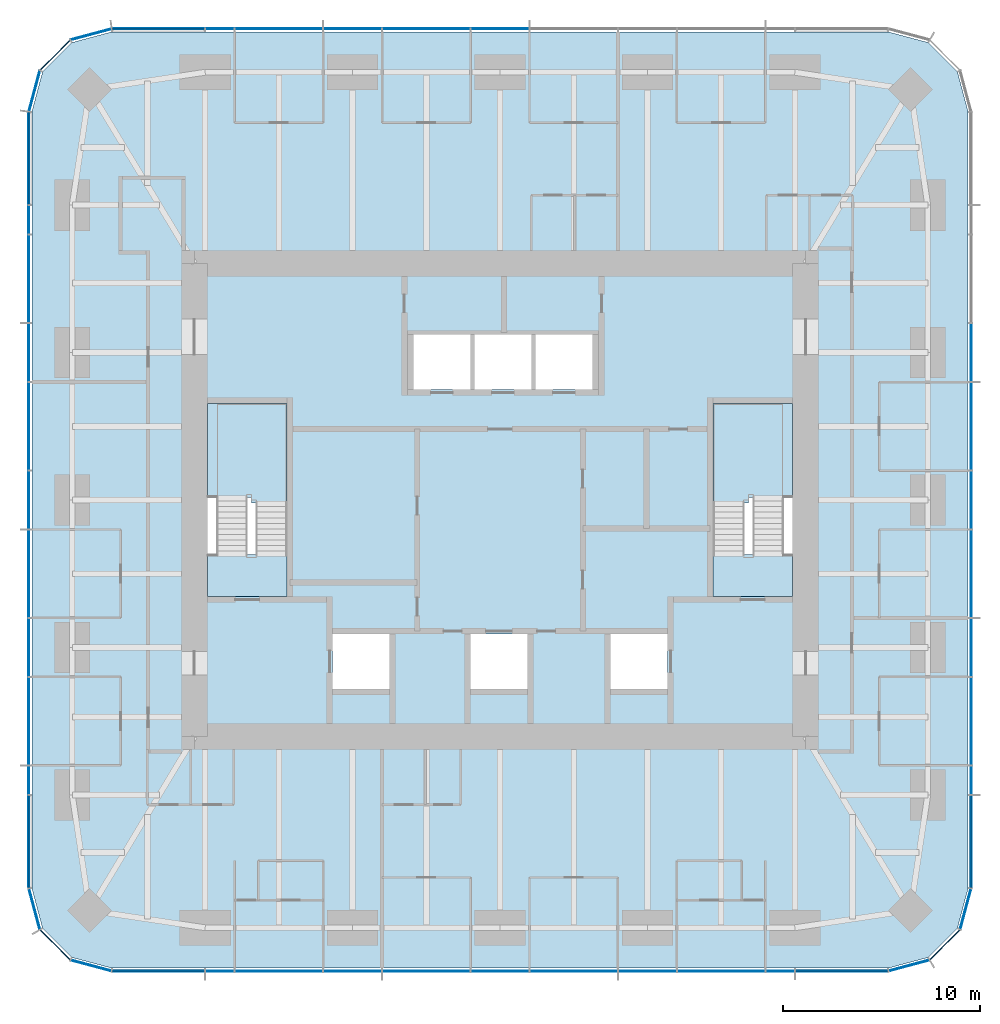
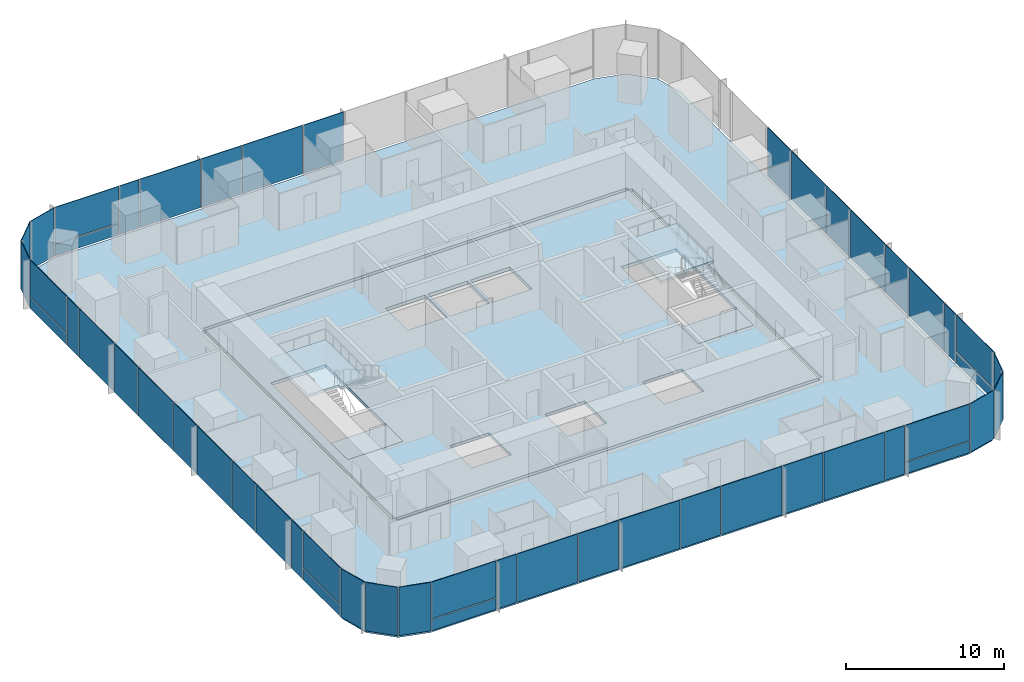
# One storey, part 7 of 12: 51 plates, 6 slabs, 9 elements without a shape of their own.
"""IFC4 building model written with IfcOpenShell, lengths in metres."""

from ifc_helpers import new_model, si_unit, direction, frame, origin, origin_2d, place, context, subcontext, project, spatial, polyline, rectangle, outline, extrude, material, layer, layer_set, type_object, element, aggregate, save


model = new_model("IFC4")

# Units and contexts
model_context = context("Model", 3, precision=1e-05, world=origin(), true_north=direction((0.0, 1.0)))
body_context = subcontext(model_context, "Body", "Model", "MODEL_VIEW")
ifc_project = project(units=[si_unit("LENGTHUNIT", "METRE"), si_unit("AREAUNIT", "SQUARE_METRE"), si_unit("VOLUMEUNIT", "CUBIC_METRE"), si_unit("PLANEANGLEUNIT", "RADIAN"), si_unit("MASSUNIT", "GRAM", prefix="KILO")], contexts=[model_context])

# Site, building, storey
site_placement = place(None, origin())
site = spatial("IfcSite", under=ifc_project, at=site_placement, CompositionType="ELEMENT")
building_placement = place(site_placement, origin())
building = spatial("IfcBuilding", under=site, at=building_placement, Name="Khuree Lantern Residences", CompositionType="ELEMENT")
storey_placement = place(building_placement, frame((0.0, 0.0, 297.0)))
storey = spatial("IfcBuildingStorey", under=building, at=storey_placement, Name="L74", CompositionType="ELEMENT", Elevation=297.0)

# Slab
ifc_material_1 = material(Name="Concrete C35/45", Category="concrete")
ifc_layer_1 = layer(ifc_material_1, 0.25)
ifc_layer_set_1 = layer_set([ifc_layer_1], Name="CFL250 CORE FLOOR SLAB 250")
slab_type_1 = type_object("IfcSlabType", Name="CFL250 CORE FLOOR SLAB 250", PredefinedType="FLOOR", material=ifc_layer_set_1)
slab_1_placement = place(storey_placement, frame((0.0, 0.0, -0.25)))
element("IfcSlab", 1, at=slab_1_placement, inside=storey, type_object=slab_type_1, Name="Core floor L74", PredefinedType="FLOOR", context=body_context, shape_type="SweptSolid", body=[
    extrude(outline(polyline([(-15.5, -12.0), (-15.5, 12.0), (15.5, 12.0), (15.5, -12.0), (-15.5, -12.0)]), holes=[polyline([(10.800048828125, 4.89990234375), (10.800048828125, -4.89990234375), (14.85009765625, -4.89990234375), (14.85009765625, 4.89990234375), (10.800048828125, 4.89990234375)]), polyline([(5.60009765625, -6.800048828125), (5.60009765625, -9.60009765625), (8.5, -9.60009765625), (8.5, -6.800048828125), (5.60009765625, -6.800048828125)]), polyline([(1.800048828125, 8.39990234375), (1.800048828125, 5.60009765625), (4.699951171875, 5.60009765625), (4.699951171875, 8.39990234375), (1.800048828125, 8.39990234375)]), polyline([(-1.300048828125, 8.39990234375), (-1.300048828125, 5.60009765625), (1.60009765625, 5.60009765625), (1.60009765625, 8.39990234375), (-1.300048828125, 8.39990234375)]), polyline([(-1.5, -6.800048828125), (-1.5, -9.60009765625), (1.39990234375, -9.60009765625), (1.39990234375, -6.800048828125), (-1.5, -6.800048828125)]), polyline([(-4.39990234375, 8.39990234375), (-4.39990234375, 5.60009765625), (-1.5, 5.60009765625), (-1.5, 8.39990234375), (-4.39990234375, 8.39990234375)]), polyline([(-8.5, -6.800048828125), (-8.5, -9.60009765625), (-5.60009765625, -9.60009765625), (-5.60009765625, -6.800048828125), (-8.5, -6.800048828125)]), polyline([(-14.85009765625, 4.89990234375), (-14.85009765625, -4.89990234375), (-10.800048828125, -4.89990234375), (-10.800048828125, 4.89990234375), (-14.85009765625, 4.89990234375)])]), origin(), (0.0, 0.0, 1.0), 0.25),
])

# Curtain wall, plates
ifc_material_2 = material(Name="Bronze anodised aluminium", Category="aluminium")
curtain_wall_type_1 = type_object("IfcCurtainWallType", Name="CW-T2 TOWER CORNER CURTAIN WALL", PredefinedType="USERDEFINED", material=ifc_material_2)
curtain_wall_1_placement = place(storey_placement, origin())
curtain_wall_1 = element("IfcCurtainWall", 2, at=curtain_wall_1_placement, inside=storey, type_object=curtain_wall_type_1, Name="L74 SOUTH-EAST CORNER CURTAIN WALL", ObjectType="Faceted corner curtain wall", PredefinedType="USERDEFINED")
ifc_material_3 = material(Name="Bronze tinted triple glazing", Category="glass")
ifc_layer_2 = layer(ifc_material_3, 0.048095703125)
ifc_layer_set_2 = layer_set([ifc_layer_2], Name="FACET PANEL P4")
plate_type_1 = type_object("IfcPlateType", Name="FACET PANEL P4", PredefinedType="CURTAIN_PANEL", material=ifc_layer_set_2)
plate_1_placement = place(storey_placement, frame((20.748046875, -23.619140625, 0.0), z_axis=(0.0, 0.0, 1.0), x_axis=(0.965925861257, 0.2588189146, 0.0)))
plate_1 = element("IfcPlate", 3, at=plate_1_placement, type_object=plate_type_1, Name="L74 SOUTH-EAST CORNER PANEL 1.1", PredefinedType="CURTAIN_PANEL", context=body_context, shape_type="SweptSolid", body=[
    extrude(rectangle(XDim=2.09814453125, YDim=0.048095703125, at=origin_2d()), origin(), (0.0, 0.0, 1.0), 3.75),
])
plate_2_placement = place(storey_placement, frame((22.568603515625, -22.568603515625, 0.0), z_axis=(0.0, 0.0, 1.0), x_axis=(0.707106781187, 0.707106781187, 0.0)))
plate_2 = element("IfcPlate", 4, at=plate_2_placement, type_object=plate_type_1, Name="L74 SOUTH-EAST CORNER PANEL 2.1", PredefinedType="CURTAIN_PANEL", context=body_context, shape_type="SweptSolid", body=[
    extrude(rectangle(XDim=2.093994140625, YDim=0.048095703125, at=origin_2d()), origin(), (0.0, 0.0, 1.0), 3.75),
])
plate_3_placement = place(storey_placement, frame((23.619140625, -20.748046875, 0.0), z_axis=(0.0, 0.0, 1.0), x_axis=(0.2588189146, 0.965925861257, 0.0)))
plate_3 = element("IfcPlate", 5, at=plate_3_placement, type_object=plate_type_1, Name="L74 SOUTH-EAST CORNER PANEL 3.1", PredefinedType="CURTAIN_PANEL", context=body_context, shape_type="SweptSolid", body=[
    extrude(rectangle(XDim=2.09814453125, YDim=0.048095703125, at=origin_2d()), origin(), (0.0, 0.0, 1.0), 3.75),
])
aggregate(curtain_wall_1, [plate_1, plate_2, plate_3])

curtain_wall_2_placement = place(storey_placement, origin())
curtain_wall_2 = element("IfcCurtainWall", 6, at=curtain_wall_2_placement, inside=storey, type_object=curtain_wall_type_1, Name="L74 NORTH-WEST CORNER CURTAIN WALL", ObjectType="Faceted corner curtain wall", PredefinedType="USERDEFINED")
plate_4_placement = place(storey_placement, frame((-20.748046875, 23.619140625, 0.0), z_axis=(0.0, 0.0, 1.0), x_axis=(-0.965925861257, -0.2588189146, 0.0)))
plate_4 = element("IfcPlate", 7, at=plate_4_placement, type_object=plate_type_1, Name="L74 NORTH-WEST CORNER PANEL 29.1", PredefinedType="CURTAIN_PANEL", context=body_context, shape_type="SweptSolid", body=[
    extrude(rectangle(XDim=2.09814453125, YDim=0.048095703125, at=origin_2d()), origin(), (0.0, 0.0, 1.0), 3.75),
])
plate_5_placement = place(storey_placement, frame((-22.568603515625, 22.568603515625, 0.0), z_axis=(0.0, 0.0, 1.0), x_axis=(-0.707106781187, -0.707106781187, 0.0)))
plate_5 = element("IfcPlate", 8, at=plate_5_placement, type_object=plate_type_1, Name="L74 NORTH-WEST CORNER PANEL 30.1", PredefinedType="CURTAIN_PANEL", context=body_context, shape_type="SweptSolid", body=[
    extrude(rectangle(XDim=2.093994140625, YDim=0.048095703125, at=origin_2d()), origin(), (0.0, 0.0, 1.0), 3.75),
])
plate_6_placement = place(storey_placement, frame((-23.619140625, 20.748046875, 0.0), z_axis=(0.0, 0.0, 1.0), x_axis=(-0.2588189146, -0.965925861257, 0.0)))
plate_6 = element("IfcPlate", 9, at=plate_6_placement, type_object=plate_type_1, Name="L74 NORTH-WEST CORNER PANEL 31.1", PredefinedType="CURTAIN_PANEL", context=body_context, shape_type="SweptSolid", body=[
    extrude(rectangle(XDim=2.09814453125, YDim=0.048095703125, at=origin_2d()), origin(), (0.0, 0.0, 1.0), 3.75),
])
aggregate(curtain_wall_2, [plate_4, plate_5, plate_6])

curtain_wall_3_placement = place(storey_placement, origin())
curtain_wall_3 = element("IfcCurtainWall", 10, at=curtain_wall_3_placement, inside=storey, type_object=curtain_wall_type_1, Name="L74 SOUTH-WEST CORNER CURTAIN WALL", ObjectType="Faceted corner curtain wall", PredefinedType="USERDEFINED")
plate_7_placement = place(storey_placement, frame((-23.619140625, -20.748046875, 0.0), z_axis=(0.0, 0.0, 1.0), x_axis=(0.2588189146, -0.965925861257, 0.0)))
plate_7 = element("IfcPlate", 11, at=plate_7_placement, type_object=plate_type_1, Name="L74 SOUTH-WEST CORNER PANEL 43.1", PredefinedType="CURTAIN_PANEL", context=body_context, shape_type="SweptSolid", body=[
    extrude(rectangle(XDim=2.09814453125, YDim=0.048095703125, at=origin_2d()), origin(), (0.0, 0.0, 1.0), 3.75),
])
plate_8_placement = place(storey_placement, frame((-22.568603515625, -22.568603515625, 0.0), z_axis=(0.0, 0.0, 1.0), x_axis=(0.707106781187, -0.707106781187, 0.0)))
plate_8 = element("IfcPlate", 12, at=plate_8_placement, type_object=plate_type_1, Name="L74 SOUTH-WEST CORNER PANEL 44.1", PredefinedType="CURTAIN_PANEL", context=body_context, shape_type="SweptSolid", body=[
    extrude(rectangle(XDim=2.093994140625, YDim=0.048095703125, at=origin_2d()), origin(), (0.0, 0.0, 1.0), 3.75),
])
plate_9_placement = place(storey_placement, frame((-20.748046875, -23.619140625, 0.0), z_axis=(0.0, 0.0, 1.0), x_axis=(0.965925861257, -0.2588189146, 0.0)))
plate_9 = element("IfcPlate", 13, at=plate_9_placement, type_object=plate_type_1, Name="L74 SOUTH-WEST CORNER PANEL 45.1", PredefinedType="CURTAIN_PANEL", context=body_context, shape_type="SweptSolid", body=[
    extrude(rectangle(XDim=2.09814453125, YDim=0.048095703125, at=origin_2d()), origin(), (0.0, 0.0, 1.0), 3.75),
])
aggregate(curtain_wall_3, [plate_7, plate_8, plate_9])

curtain_wall_type_2 = type_object("IfcCurtainWallType", Name="CW-T1 TOWER FACE CURTAIN WALL", PredefinedType="USERDEFINED", material=ifc_material_2)
curtain_wall_4_placement = place(storey_placement, origin())
curtain_wall_4 = element("IfcCurtainWall", 14, at=curtain_wall_4_placement, inside=storey, type_object=curtain_wall_type_2, Name="L74 EAST FACE CURTAIN WALL", ObjectType="Stick-built curtain wall", PredefinedType="USERDEFINED")
ifc_material_4 = material(Name="Bronze tinted triple glazing with a ceramic-fritted spandrel band", Category="glass")
ifc_layer_3 = layer(ifc_material_4, 0.048095703125)
ifc_layer_set_3 = layer_set([ifc_layer_3], Name="FIXED LIGHT PANEL P11")
plate_type_2 = type_object("IfcPlateType", Name="FIXED LIGHT PANEL P11", PredefinedType="CURTAIN_PANEL", material=ifc_layer_set_3)
plate_10_placement = place(storey_placement, frame((23.89990234375, -11.219970703125, 0.0), z_axis=(0.0, 0.0, 1.0), x_axis=(0.0, 1.0, 0.0)))
plate_10 = element("IfcPlate", 15, at=plate_10_placement, type_object=plate_type_2, Name="L74 EAST FACE PANEL 6.1", PredefinedType="CURTAIN_PANEL", context=body_context, shape_type="SweptSolid", body=[
    extrude(rectangle(XDim=4.423095703125, YDim=0.048095703125, at=origin_2d()), origin(), (0.0, 0.0, 1.0), 3.75),
])
plate_11_placement = place(storey_placement, frame((23.89990234375, -3.739990234375, 0.0), z_axis=(0.0, 0.0, 1.0), x_axis=(0.0, 1.0, 0.0)))
plate_11 = element("IfcPlate", 16, at=plate_11_placement, type_object=plate_type_2, Name="L74 EAST FACE PANEL 8.1", PredefinedType="CURTAIN_PANEL", context=body_context, shape_type="SweptSolid", body=[
    extrude(rectangle(XDim=4.423095703125, YDim=0.048095703125, at=origin_2d()), origin(), (0.0, 0.0, 1.0), 3.75),
])
plate_12_placement = place(storey_placement, frame((23.89990234375, 3.739990234375, 0.0), z_axis=(0.0, 0.0, 1.0), x_axis=(0.0, 1.0, 0.0)))
plate_12 = element("IfcPlate", 17, at=plate_12_placement, type_object=plate_type_2, Name="L74 EAST FACE PANEL 10.1", PredefinedType="CURTAIN_PANEL", context=body_context, shape_type="SweptSolid", body=[
    extrude(rectangle(XDim=4.423095703125, YDim=0.048095703125, at=origin_2d()), origin(), (0.0, 0.0, 1.0), 3.75),
])

curtain_wall_5_placement = place(storey_placement, origin())
curtain_wall_5 = element("IfcCurtainWall", 18, at=curtain_wall_5_placement, inside=storey, type_object=curtain_wall_type_2, Name="L74 NORTH FACE CURTAIN WALL", ObjectType="Stick-built curtain wall", PredefinedType="USERDEFINED")
plate_13_placement = place(storey_placement, frame((-3.739990234375, 23.89990234375, 0.0), z_axis=(0.0, 0.0, 1.0), x_axis=(-1.0, 0.0, 0.0)))
plate_13 = element("IfcPlate", 19, at=plate_13_placement, type_object=plate_type_2, Name="L74 NORTH FACE PANEL 24.1", PredefinedType="CURTAIN_PANEL", context=body_context, shape_type="SweptSolid", body=[
    extrude(rectangle(XDim=4.423095703125, YDim=0.048095703125, at=origin_2d()), origin(), (0.0, 0.0, 1.0), 3.75),
])
plate_14_placement = place(storey_placement, frame((-11.219970703125, 23.89990234375, 0.0), z_axis=(0.0, 0.0, 1.0), x_axis=(-1.0, 0.0, 0.0)))
plate_14 = element("IfcPlate", 20, at=plate_14_placement, type_object=plate_type_2, Name="L74 NORTH FACE PANEL 26.1", PredefinedType="CURTAIN_PANEL", context=body_context, shape_type="SweptSolid", body=[
    extrude(rectangle(XDim=4.423095703125, YDim=0.048095703125, at=origin_2d()), origin(), (0.0, 0.0, 1.0), 3.75),
])

curtain_wall_6_placement = place(storey_placement, origin())
curtain_wall_6 = element("IfcCurtainWall", 21, at=curtain_wall_6_placement, inside=storey, type_object=curtain_wall_type_2, Name="L74 WEST FACE CURTAIN WALL", ObjectType="Stick-built curtain wall", PredefinedType="USERDEFINED")
plate_15_placement = place(storey_placement, frame((-23.89990234375, 11.219970703125, 0.0), z_axis=(0.0, 0.0, 1.0), x_axis=(0.0, -1.0, 0.0)))
plate_15 = element("IfcPlate", 22, at=plate_15_placement, type_object=plate_type_2, Name="L74 WEST FACE PANEL 34.1", PredefinedType="CURTAIN_PANEL", context=body_context, shape_type="SweptSolid", body=[
    extrude(rectangle(XDim=4.423095703125, YDim=0.048095703125, at=origin_2d()), origin(), (0.0, 0.0, 1.0), 3.75),
])
plate_16_placement = place(storey_placement, frame((-23.89990234375, 3.739990234375, 0.0), z_axis=(0.0, 0.0, 1.0), x_axis=(0.0, -1.0, 0.0)))
plate_16 = element("IfcPlate", 23, at=plate_16_placement, type_object=plate_type_2, Name="L74 WEST FACE PANEL 36.1", PredefinedType="CURTAIN_PANEL", context=body_context, shape_type="SweptSolid", body=[
    extrude(rectangle(XDim=4.423095703125, YDim=0.048095703125, at=origin_2d()), origin(), (0.0, 0.0, 1.0), 3.75),
])
plate_17_placement = place(storey_placement, frame((-23.89990234375, -3.739990234375, 0.0), z_axis=(0.0, 0.0, 1.0), x_axis=(0.0, -1.0, 0.0)))
plate_17 = element("IfcPlate", 24, at=plate_17_placement, type_object=plate_type_2, Name="L74 WEST FACE PANEL 38.1", PredefinedType="CURTAIN_PANEL", context=body_context, shape_type="SweptSolid", body=[
    extrude(rectangle(XDim=4.423095703125, YDim=0.048095703125, at=origin_2d()), origin(), (0.0, 0.0, 1.0), 3.75),
])
plate_18_placement = place(storey_placement, frame((-23.89990234375, -11.219970703125, 0.0), z_axis=(0.0, 0.0, 1.0), x_axis=(0.0, -1.0, 0.0)))
plate_18 = element("IfcPlate", 25, at=plate_18_placement, type_object=plate_type_2, Name="L74 WEST FACE PANEL 40.1", PredefinedType="CURTAIN_PANEL", context=body_context, shape_type="SweptSolid", body=[
    extrude(rectangle(XDim=4.423095703125, YDim=0.048095703125, at=origin_2d()), origin(), (0.0, 0.0, 1.0), 3.75),
])

curtain_wall_7_placement = place(storey_placement, origin())
curtain_wall_7 = element("IfcCurtainWall", 26, at=curtain_wall_7_placement, inside=storey, type_object=curtain_wall_type_2, Name="L74 SOUTH FACE CURTAIN WALL", ObjectType="Stick-built curtain wall", PredefinedType="USERDEFINED")
plate_19_placement = place(storey_placement, frame((-11.219970703125, -23.89990234375, 0.0), z_axis=(0.0, 0.0, 1.0), x_axis=(1.0, 0.0, 0.0)))
plate_19 = element("IfcPlate", 27, at=plate_19_placement, type_object=plate_type_2, Name="L74 SOUTH FACE PANEL 48.1", PredefinedType="CURTAIN_PANEL", context=body_context, shape_type="SweptSolid", body=[
    extrude(rectangle(XDim=4.423095703125, YDim=0.048095703125, at=origin_2d()), origin(), (0.0, 0.0, 1.0), 3.75),
])
plate_20_placement = place(storey_placement, frame((-3.739990234375, -23.89990234375, 0.0), z_axis=(0.0, 0.0, 1.0), x_axis=(1.0, 0.0, 0.0)))
plate_20 = element("IfcPlate", 28, at=plate_20_placement, type_object=plate_type_2, Name="L74 SOUTH FACE PANEL 50.1", PredefinedType="CURTAIN_PANEL", context=body_context, shape_type="SweptSolid", body=[
    extrude(rectangle(XDim=4.423095703125, YDim=0.048095703125, at=origin_2d()), origin(), (0.0, 0.0, 1.0), 3.75),
])
plate_21_placement = place(storey_placement, frame((3.739990234375, -23.89990234375, 0.0), z_axis=(0.0, 0.0, 1.0), x_axis=(1.0, 0.0, 0.0)))
plate_21 = element("IfcPlate", 29, at=plate_21_placement, type_object=plate_type_2, Name="L74 SOUTH FACE PANEL 52.1", PredefinedType="CURTAIN_PANEL", context=body_context, shape_type="SweptSolid", body=[
    extrude(rectangle(XDim=4.423095703125, YDim=0.048095703125, at=origin_2d()), origin(), (0.0, 0.0, 1.0), 3.75),
])
plate_22_placement = place(storey_placement, frame((11.219970703125, -23.89990234375, 0.0), z_axis=(0.0, 0.0, 1.0), x_axis=(1.0, 0.0, 0.0)))
plate_22 = element("IfcPlate", 30, at=plate_22_placement, type_object=plate_type_2, Name="L74 SOUTH FACE PANEL 54.1", PredefinedType="CURTAIN_PANEL", context=body_context, shape_type="SweptSolid", body=[
    extrude(rectangle(XDim=4.423095703125, YDim=0.048095703125, at=origin_2d()), origin(), (0.0, 0.0, 1.0), 3.75),
])

# Slab
ifc_layer_4 = layer(ifc_material_1, 0.25)
ifc_layer_set_4 = layer_set([ifc_layer_4], Name="FS250 FLOOR SLAB 250")
slab_type_2 = type_object("IfcSlabType", Name="FS250 FLOOR SLAB 250", PredefinedType="FLOOR", material=ifc_layer_set_4)
slab_2_placement = place(storey_placement, frame((0.0, 0.0, -0.25)))
element("IfcSlab", 31, at=slab_2_placement, inside=storey, type_object=slab_type_2, Name="Floor slab L74", PredefinedType="FLOOR", context=body_context, shape_type="SweptSolid", body=[
    extrude(outline(polyline([(-21.72509765625, -23.20751953125), (-23.20751953125, -21.72509765625), (-23.75, -19.699951171875), (-23.75, 19.699951171875), (-23.20751953125, 21.72509765625), (-21.72509765625, 23.20751953125), (-19.699951171875, 23.75), (19.699951171875, 23.75), (21.72509765625, 23.20751953125), (23.20751953125, 21.72509765625), (23.75, 19.699951171875), (23.75, -19.699951171875), (23.20751953125, -21.72509765625), (21.72509765625, -23.20751953125), (19.699951171875, -23.75), (-19.699951171875, -23.75), (-21.72509765625, -23.20751953125)]), holes=[polyline([(15.75, 12.0), (15.5, 12.0), (15.5, 12.25), (-15.5, 12.25), (-15.5, 12.0), (-15.75, 12.0), (-15.75, -12.0), (-15.5, -12.0), (-15.5, -12.25), (15.5, -12.25), (15.5, -12.0), (15.75, -12.0), (15.75, 12.0)])]), origin(), (0.0, 0.0, 1.0), 0.25),
])

# Plate
ifc_material_5 = material(Name="Bronze tinted triple glazing, two aluminium-framed sashes in one frame", Category="aluminium")
ifc_layer_5 = layer(ifc_material_5, 0.048095703125)
ifc_layer_set_5 = layer_set([ifc_layer_5], Name="SASH PAIR PANEL P12")
plate_type_3 = type_object("IfcPlateType", Name="SASH PAIR PANEL P12", PredefinedType="CURTAIN_PANEL", material=ifc_layer_set_5)
plate_23_placement = place(storey_placement, frame((23.89990234375, -7.47998046875, 0.0), z_axis=(0.0, 0.0, 1.0), x_axis=(0.0, 1.0, 0.0)))
plate_23 = element("IfcPlate", 32, at=plate_23_placement, type_object=plate_type_3, Name="L74 EAST FACE PANEL 7.1", PredefinedType="CURTAIN_PANEL", context=body_context, shape_type="SweptSolid", body=[
    extrude(rectangle(XDim=2.927001953125, YDim=0.048095703125, at=origin_2d()), origin(), (0.0, 0.0, 1.0), 3.75),
])

plate_24_placement = place(storey_placement, frame((23.89990234375, 0.0, 0.0), z_axis=(0.0, 0.0, 1.0), x_axis=(0.0, 1.0, 0.0)))
plate_24 = element("IfcPlate", 33, at=plate_24_placement, type_object=plate_type_3, Name="L74 EAST FACE PANEL 9.1", PredefinedType="CURTAIN_PANEL", context=body_context, shape_type="SweptSolid", body=[
    extrude(rectangle(XDim=2.927001953125, YDim=0.048095703125, at=origin_2d()), origin(), (0.0, 0.0, 1.0), 3.75),
])

plate_25_placement = place(storey_placement, frame((23.89990234375, 7.47998046875, 0.0), z_axis=(0.0, 0.0, 1.0), x_axis=(0.0, 1.0, 0.0)))
plate_25 = element("IfcPlate", 34, at=plate_25_placement, type_object=plate_type_3, Name="L74 EAST FACE PANEL 11.1", PredefinedType="CURTAIN_PANEL", context=body_context, shape_type="SweptSolid", body=[
    extrude(rectangle(XDim=2.927001953125, YDim=0.048095703125, at=origin_2d()), origin(), (0.0, 0.0, 1.0), 3.75),
])

plate_26_placement = place(storey_placement, frame((0.0, 23.89990234375, 0.0), z_axis=(0.0, 0.0, 1.0), x_axis=(-1.0, 0.0, 0.0)))
plate_26 = element("IfcPlate", 35, at=plate_26_placement, type_object=plate_type_3, Name="L74 NORTH FACE PANEL 23.1", PredefinedType="CURTAIN_PANEL", context=body_context, shape_type="SweptSolid", body=[
    extrude(rectangle(XDim=2.927001953125, YDim=0.048095703125, at=origin_2d()), origin(), (0.0, 0.0, 1.0), 3.75),
])

plate_27_placement = place(storey_placement, frame((-7.47998046875, 23.89990234375, 0.0), z_axis=(0.0, 0.0, 1.0), x_axis=(-1.0, 0.0, 0.0)))
plate_27 = element("IfcPlate", 36, at=plate_27_placement, type_object=plate_type_3, Name="L74 NORTH FACE PANEL 25.1", PredefinedType="CURTAIN_PANEL", context=body_context, shape_type="SweptSolid", body=[
    extrude(rectangle(XDim=2.927001953125, YDim=0.048095703125, at=origin_2d()), origin(), (0.0, 0.0, 1.0), 3.75),
])

plate_28_placement = place(storey_placement, frame((-23.89990234375, 7.47998046875, 0.0), z_axis=(0.0, 0.0, 1.0), x_axis=(0.0, -1.0, 0.0)))
plate_28 = element("IfcPlate", 37, at=plate_28_placement, type_object=plate_type_3, Name="L74 WEST FACE PANEL 35.1", PredefinedType="CURTAIN_PANEL", context=body_context, shape_type="SweptSolid", body=[
    extrude(rectangle(XDim=2.927001953125, YDim=0.048095703125, at=origin_2d()), origin(), (0.0, 0.0, 1.0), 3.75),
])

plate_29_placement = place(storey_placement, frame((-23.89990234375, 0.0, 0.0), z_axis=(0.0, 0.0, 1.0), x_axis=(0.0, -1.0, 0.0)))
plate_29 = element("IfcPlate", 38, at=plate_29_placement, type_object=plate_type_3, Name="L74 WEST FACE PANEL 37.1", PredefinedType="CURTAIN_PANEL", context=body_context, shape_type="SweptSolid", body=[
    extrude(rectangle(XDim=2.927001953125, YDim=0.048095703125, at=origin_2d()), origin(), (0.0, 0.0, 1.0), 3.75),
])

plate_30_placement = place(storey_placement, frame((-23.89990234375, -7.47998046875, 0.0), z_axis=(0.0, 0.0, 1.0), x_axis=(0.0, -1.0, 0.0)))
plate_30 = element("IfcPlate", 39, at=plate_30_placement, type_object=plate_type_3, Name="L74 WEST FACE PANEL 39.1", PredefinedType="CURTAIN_PANEL", context=body_context, shape_type="SweptSolid", body=[
    extrude(rectangle(XDim=2.927001953125, YDim=0.048095703125, at=origin_2d()), origin(), (0.0, 0.0, 1.0), 3.75),
])

plate_31_placement = place(storey_placement, frame((-7.47998046875, -23.89990234375, 0.0), z_axis=(0.0, 0.0, 1.0), x_axis=(1.0, 0.0, 0.0)))
plate_31 = element("IfcPlate", 40, at=plate_31_placement, type_object=plate_type_3, Name="L74 SOUTH FACE PANEL 49.1", PredefinedType="CURTAIN_PANEL", context=body_context, shape_type="SweptSolid", body=[
    extrude(rectangle(XDim=2.927001953125, YDim=0.048095703125, at=origin_2d()), origin(), (0.0, 0.0, 1.0), 3.75),
])

plate_32_placement = place(storey_placement, frame((0.0, -23.89990234375, 0.0), z_axis=(0.0, 0.0, 1.0), x_axis=(1.0, 0.0, 0.0)))
plate_32 = element("IfcPlate", 41, at=plate_32_placement, type_object=plate_type_3, Name="L74 SOUTH FACE PANEL 51.1", PredefinedType="CURTAIN_PANEL", context=body_context, shape_type="SweptSolid", body=[
    extrude(rectangle(XDim=2.927001953125, YDim=0.048095703125, at=origin_2d()), origin(), (0.0, 0.0, 1.0), 3.75),
])

plate_33_placement = place(storey_placement, frame((7.47998046875, -23.89990234375, 0.0), z_axis=(0.0, 0.0, 1.0), x_axis=(1.0, 0.0, 0.0)))
plate_33 = element("IfcPlate", 42, at=plate_33_placement, type_object=plate_type_3, Name="L74 SOUTH FACE PANEL 53.1", PredefinedType="CURTAIN_PANEL", context=body_context, shape_type="SweptSolid", body=[
    extrude(rectangle(XDim=2.927001953125, YDim=0.048095703125, at=origin_2d()), origin(), (0.0, 0.0, 1.0), 3.75),
])

ifc_material_6 = material(Name="Bronze tinted triple glazing, aluminium-framed sash", Category="aluminium")
ifc_layer_6 = layer(ifc_material_6, 0.048095703125)
ifc_layer_set_6 = layer_set([ifc_layer_6], Name="SASH PANEL P3")
plate_type_4 = type_object("IfcPlateType", Name="SASH PANEL P3", PredefinedType="CURTAIN_PANEL", material=ifc_layer_set_6)
plate_34_placement = place(storey_placement, frame((23.89990234375, -14.2119140625, 0.0), z_axis=(0.0, 0.0, 1.0), x_axis=(0.0, 1.0, 0.0)))
plate_34 = element("IfcPlate", 43, at=plate_34_placement, type_object=plate_type_4, Name="L74 EAST FACE PANEL 5.1", PredefinedType="CURTAIN_PANEL", context=body_context, shape_type="SweptSolid", body=[
    extrude(rectangle(XDim=1.430908203125, YDim=0.048095703125, at=origin_2d()), origin(), (0.0, 0.0, 1.0), 3.75),
])

plate_35_placement = place(storey_placement, frame((-14.2119140625, 23.89990234375, 0.0), z_axis=(0.0, 0.0, 1.0), x_axis=(-1.0, 0.0, 0.0)))
plate_35 = element("IfcPlate", 44, at=plate_35_placement, type_object=plate_type_4, Name="L74 NORTH FACE PANEL 27.1", PredefinedType="CURTAIN_PANEL", context=body_context, shape_type="SweptSolid", body=[
    extrude(rectangle(XDim=1.430908203125, YDim=0.048095703125, at=origin_2d()), origin(), (0.0, 0.0, 1.0), 3.75),
])

plate_36_placement = place(storey_placement, frame((-23.89990234375, 14.2119140625, 0.0), z_axis=(0.0, 0.0, 1.0), x_axis=(0.0, -1.0, 0.0)))
plate_36 = element("IfcPlate", 45, at=plate_36_placement, type_object=plate_type_4, Name="L74 WEST FACE PANEL 33.1", PredefinedType="CURTAIN_PANEL", context=body_context, shape_type="SweptSolid", body=[
    extrude(rectangle(XDim=1.430908203125, YDim=0.048095703125, at=origin_2d()), origin(), (0.0, 0.0, 1.0), 3.75),
])

plate_37_placement = place(storey_placement, frame((-23.89990234375, -14.2119140625, 0.0), z_axis=(0.0, 0.0, 1.0), x_axis=(0.0, -1.0, 0.0)))
plate_37 = element("IfcPlate", 46, at=plate_37_placement, type_object=plate_type_4, Name="L74 WEST FACE PANEL 41.1", PredefinedType="CURTAIN_PANEL", context=body_context, shape_type="SweptSolid", body=[
    extrude(rectangle(XDim=1.430908203125, YDim=0.048095703125, at=origin_2d()), origin(), (0.0, 0.0, 1.0), 3.75),
])

plate_38_placement = place(storey_placement, frame((-14.2119140625, -23.89990234375, 0.0), z_axis=(0.0, 0.0, 1.0), x_axis=(1.0, 0.0, 0.0)))
plate_38 = element("IfcPlate", 47, at=plate_38_placement, type_object=plate_type_4, Name="L74 SOUTH FACE PANEL 47.1", PredefinedType="CURTAIN_PANEL", context=body_context, shape_type="SweptSolid", body=[
    extrude(rectangle(XDim=1.430908203125, YDim=0.048095703125, at=origin_2d()), origin(), (0.0, 0.0, 1.0), 3.75),
])

plate_39_placement = place(storey_placement, frame((14.2119140625, -23.89990234375, 0.0), z_axis=(0.0, 0.0, 1.0), x_axis=(1.0, 0.0, 0.0)))
plate_39 = element("IfcPlate", 48, at=plate_39_placement, type_object=plate_type_4, Name="L74 SOUTH FACE PANEL 55.1", PredefinedType="CURTAIN_PANEL", context=body_context, shape_type="SweptSolid", body=[
    extrude(rectangle(XDim=1.430908203125, YDim=0.048095703125, at=origin_2d()), origin(), (0.0, 0.0, 1.0), 3.75),
])

ifc_material_7 = material(Name="Bronze anodised aluminium insulated spandrel", Category="aluminium")
ifc_layer_7 = layer(ifc_material_7, 0.06005859375)
ifc_layer_set_7 = layer_set([ifc_layer_7], Name="SPANDREL PANEL P2")
plate_type_5 = type_object("IfcPlateType", Name="SPANDREL PANEL P2", PredefinedType="CURTAIN_PANEL", material=ifc_layer_set_7)
plate_40_placement = place(storey_placement, frame((23.89990234375, -17.327880859375, 0.0), z_axis=(0.0, 0.0, 1.0), x_axis=(0.0, 1.0, 0.0)))
plate_40 = element("IfcPlate", 49, at=plate_40_placement, type_object=plate_type_5, Name="L74 EAST FACE PANEL 4.1", PredefinedType="CURTAIN_PANEL", context=body_context, shape_type="SweptSolid", body=[
    extrude(rectangle(XDim=4.670654296875, YDim=0.06005859375, at=origin_2d()), origin(), (0.0, 0.0, 1.0), 0.867431640625),
])

plate_41_placement = place(storey_placement, frame((-17.327880859375, 23.89990234375, 0.0), z_axis=(0.0, 0.0, 1.0), x_axis=(-1.0, 0.0, 0.0)))
plate_41 = element("IfcPlate", 50, at=plate_41_placement, type_object=plate_type_5, Name="L74 NORTH FACE PANEL 28.1", PredefinedType="CURTAIN_PANEL", context=body_context, shape_type="SweptSolid", body=[
    extrude(rectangle(XDim=4.670654296875, YDim=0.06005859375, at=origin_2d()), origin(), (0.0, 0.0, 1.0), 0.867431640625),
])

plate_42_placement = place(storey_placement, frame((-23.89990234375, 17.327880859375, 0.0), z_axis=(0.0, 0.0, 1.0), x_axis=(0.0, -1.0, 0.0)))
plate_42 = element("IfcPlate", 51, at=plate_42_placement, type_object=plate_type_5, Name="L74 WEST FACE PANEL 32.1", PredefinedType="CURTAIN_PANEL", context=body_context, shape_type="SweptSolid", body=[
    extrude(rectangle(XDim=4.670654296875, YDim=0.06005859375, at=origin_2d()), origin(), (0.0, 0.0, 1.0), 0.867431640625),
])

plate_43_placement = place(storey_placement, frame((-23.89990234375, -17.327880859375, 0.0), z_axis=(0.0, 0.0, 1.0), x_axis=(0.0, -1.0, 0.0)))
plate_43 = element("IfcPlate", 52, at=plate_43_placement, type_object=plate_type_5, Name="L74 WEST FACE PANEL 42.1", PredefinedType="CURTAIN_PANEL", context=body_context, shape_type="SweptSolid", body=[
    extrude(rectangle(XDim=4.670654296875, YDim=0.06005859375, at=origin_2d()), origin(), (0.0, 0.0, 1.0), 0.867431640625),
])

plate_44_placement = place(storey_placement, frame((-17.327880859375, -23.89990234375, 0.0), z_axis=(0.0, 0.0, 1.0), x_axis=(1.0, 0.0, 0.0)))
plate_44 = element("IfcPlate", 53, at=plate_44_placement, type_object=plate_type_5, Name="L74 SOUTH FACE PANEL 46.1", PredefinedType="CURTAIN_PANEL", context=body_context, shape_type="SweptSolid", body=[
    extrude(rectangle(XDim=4.670654296875, YDim=0.06005859375, at=origin_2d()), origin(), (0.0, 0.0, 1.0), 0.867431640625),
])

plate_45_placement = place(storey_placement, frame((17.327880859375, -23.89990234375, 0.0), z_axis=(0.0, 0.0, 1.0), x_axis=(1.0, 0.0, 0.0)))
plate_45 = element("IfcPlate", 54, at=plate_45_placement, type_object=plate_type_5, Name="L74 SOUTH FACE PANEL 56.1", PredefinedType="CURTAIN_PANEL", context=body_context, shape_type="SweptSolid", body=[
    extrude(rectangle(XDim=4.670654296875, YDim=0.06005859375, at=origin_2d()), origin(), (0.0, 0.0, 1.0), 0.867431640625),
])

# Stair, slabs
ifc_material_8 = material(Name="Concrete C40/50", Category="concrete")
stair_type = type_object("IfcStairType", Name="STAIR ST1 HALF TURN 3600", PredefinedType="HALF_TURN_STAIR", material=ifc_material_8)
stair_1_placement = place(storey_placement, origin())
stair_1 = element("IfcStair", 55, at=stair_1_placement, inside=storey, type_object=stair_type, Name="Stair ST1", PredefinedType="HALF_TURN_STAIR")
ifc_layer_8 = layer(ifc_material_8, 0.199951171875)
ifc_layer_set_8 = layer_set([ifc_layer_8], Name="STAIR LANDING SL1 200")
slab_type_3 = type_object("IfcSlabType", Name="STAIR LANDING SL1 200", PredefinedType="LANDING", material=ifc_layer_set_8)
slab_3_placement = place(storey_placement, frame((0.0, 0.0, -0.199951171875)))
slab_3 = element("IfcSlab", 56, at=slab_3_placement, type_object=slab_type_3, Name="ST1 landing 1", PredefinedType="LANDING", context=body_context, shape_type="SweptSolid", body=[
    extrude(outline(polyline([(-14.85009765625, -4.89990234375), (-10.800048828125, -4.89990234375), (-10.800048828125, -2.760009765625), (-14.85009765625, -2.760009765625), (-14.85009765625, -4.89990234375)])), origin(), (0.0, 0.0, 1.0), 0.199951171875),
])
slab_4_placement = place(storey_placement, frame((0.0, 0.0, 1.756591796875)))
slab_4 = element("IfcSlab", 57, at=slab_4_placement, type_object=slab_type_3, Name="ST1 landing 2", PredefinedType="LANDING", context=body_context, shape_type="SweptSolid", body=[
    extrude(outline(polyline([(-14.85009765625, 0.1201171875), (-14.85009765625, 4.89990234375), (-10.800048828125, 4.89990234375), (-10.800048828125, -0.159912109375), (-12.60009765625, -0.159912109375), (-12.60009765625, 0.1201171875), (-14.85009765625, 0.1201171875)])), origin(), (0.0, 0.0, 1.0), 0.199951171875),
])
aggregate(stair_1, [slab_3, slab_4])

stair_2_placement = place(storey_placement, origin())
stair_2 = element("IfcStair", 58, at=stair_2_placement, inside=storey, type_object=stair_type, Name="Stair ST2", PredefinedType="HALF_TURN_STAIR")
slab_5_placement = place(storey_placement, frame((0.0, 0.0, -0.199951171875)))
slab_5 = element("IfcSlab", 59, at=slab_5_placement, type_object=slab_type_3, Name="ST2 landing 1", PredefinedType="LANDING", context=body_context, shape_type="SweptSolid", body=[
    extrude(outline(polyline([(10.800048828125, -4.89990234375), (14.85009765625, -4.89990234375), (14.85009765625, -2.760009765625), (10.800048828125, -2.760009765625), (10.800048828125, -4.89990234375)])), origin(), (0.0, 0.0, 1.0), 0.199951171875),
])
slab_6_placement = place(storey_placement, frame((0.0, 0.0, 1.756591796875)))
slab_6 = element("IfcSlab", 60, at=slab_6_placement, type_object=slab_type_3, Name="ST2 landing 2", PredefinedType="LANDING", context=body_context, shape_type="SweptSolid", body=[
    extrude(outline(polyline([(14.85009765625, 4.89990234375), (14.85009765625, 0.1201171875), (12.60009765625, 0.1201171875), (12.60009765625, -0.159912109375), (10.800048828125, -0.159912109375), (10.800048828125, 4.89990234375), (14.85009765625, 4.89990234375)])), origin(), (0.0, 0.0, 1.0), 0.199951171875),
])
aggregate(stair_2, [slab_5, slab_6])

# Plate
ifc_layer_9 = layer(ifc_material_3, 0.048095703125)
ifc_layer_set_9 = layer_set([ifc_layer_9], Name="VISION PANEL P1")
plate_type_6 = type_object("IfcPlateType", Name="VISION PANEL P1", PredefinedType="CURTAIN_PANEL", material=ifc_layer_set_9)
plate_46_placement = place(storey_placement, frame((23.89990234375, -17.328369140625, 0.9326171875), z_axis=(0.0, 0.0, 1.0), x_axis=(0.0, 1.0, 0.0)))
plate_46 = element("IfcPlate", 61, at=plate_46_placement, type_object=plate_type_6, Name="L74 EAST FACE PANEL 4.2", PredefinedType="CURTAIN_PANEL", context=body_context, shape_type="SweptSolid", body=[
    extrude(rectangle(XDim=4.671630859375, YDim=0.048095703125, at=origin_2d()), origin(), (0.0, 0.0, 1.0), 2.8173828125),
])

aggregate(curtain_wall_4, [plate_40, plate_46, plate_34, plate_10, plate_23, plate_11, plate_24, plate_12, plate_25])

plate_47_placement = place(storey_placement, frame((-17.328369140625, 23.89990234375, 0.9326171875), z_axis=(0.0, 0.0, 1.0), x_axis=(-1.0, 0.0, 0.0)))
plate_47 = element("IfcPlate", 62, at=plate_47_placement, type_object=plate_type_6, Name="L74 NORTH FACE PANEL 28.2", PredefinedType="CURTAIN_PANEL", context=body_context, shape_type="SweptSolid", body=[
    extrude(rectangle(XDim=4.671630859375, YDim=0.048095703125, at=origin_2d()), origin(), (0.0, 0.0, 1.0), 2.8173828125),
])

aggregate(curtain_wall_5, [plate_26, plate_13, plate_27, plate_14, plate_35, plate_41, plate_47])

plate_48_placement = place(storey_placement, frame((-23.89990234375, 17.328369140625, 0.9326171875), z_axis=(0.0, 0.0, 1.0), x_axis=(0.0, -1.0, 0.0)))
plate_48 = element("IfcPlate", 63, at=plate_48_placement, type_object=plate_type_6, Name="L74 WEST FACE PANEL 32.2", PredefinedType="CURTAIN_PANEL", context=body_context, shape_type="SweptSolid", body=[
    extrude(rectangle(XDim=4.671630859375, YDim=0.048095703125, at=origin_2d()), origin(), (0.0, 0.0, 1.0), 2.8173828125),
])

plate_49_placement = place(storey_placement, frame((-23.89990234375, -17.328369140625, 0.9326171875), z_axis=(0.0, 0.0, 1.0), x_axis=(0.0, -1.0, 0.0)))
plate_49 = element("IfcPlate", 64, at=plate_49_placement, type_object=plate_type_6, Name="L74 WEST FACE PANEL 42.2", PredefinedType="CURTAIN_PANEL", context=body_context, shape_type="SweptSolid", body=[
    extrude(rectangle(XDim=4.671630859375, YDim=0.048095703125, at=origin_2d()), origin(), (0.0, 0.0, 1.0), 2.8173828125),
])

aggregate(curtain_wall_6, [plate_42, plate_48, plate_36, plate_15, plate_28, plate_16, plate_29, plate_17, plate_30, plate_18, plate_37, plate_43, plate_49])

plate_50_placement = place(storey_placement, frame((-17.328369140625, -23.89990234375, 0.9326171875), z_axis=(0.0, 0.0, 1.0), x_axis=(1.0, 0.0, 0.0)))
plate_50 = element("IfcPlate", 65, at=plate_50_placement, type_object=plate_type_6, Name="L74 SOUTH FACE PANEL 46.2", PredefinedType="CURTAIN_PANEL", context=body_context, shape_type="SweptSolid", body=[
    extrude(rectangle(XDim=4.671630859375, YDim=0.048095703125, at=origin_2d()), origin(), (0.0, 0.0, 1.0), 2.8173828125),
])

plate_51_placement = place(storey_placement, frame((17.328369140625, -23.89990234375, 0.9326171875), z_axis=(0.0, 0.0, 1.0), x_axis=(1.0, 0.0, 0.0)))
plate_51 = element("IfcPlate", 66, at=plate_51_placement, type_object=plate_type_6, Name="L74 SOUTH FACE PANEL 56.2", PredefinedType="CURTAIN_PANEL", context=body_context, shape_type="SweptSolid", body=[
    extrude(rectangle(XDim=4.671630859375, YDim=0.048095703125, at=origin_2d()), origin(), (0.0, 0.0, 1.0), 2.8173828125),
])

aggregate(curtain_wall_7, [plate_44, plate_50, plate_38, plate_19, plate_31, plate_20, plate_32, plate_21, plate_33, plate_22, plate_39, plate_45, plate_51])

save(model, "model.ifc")
